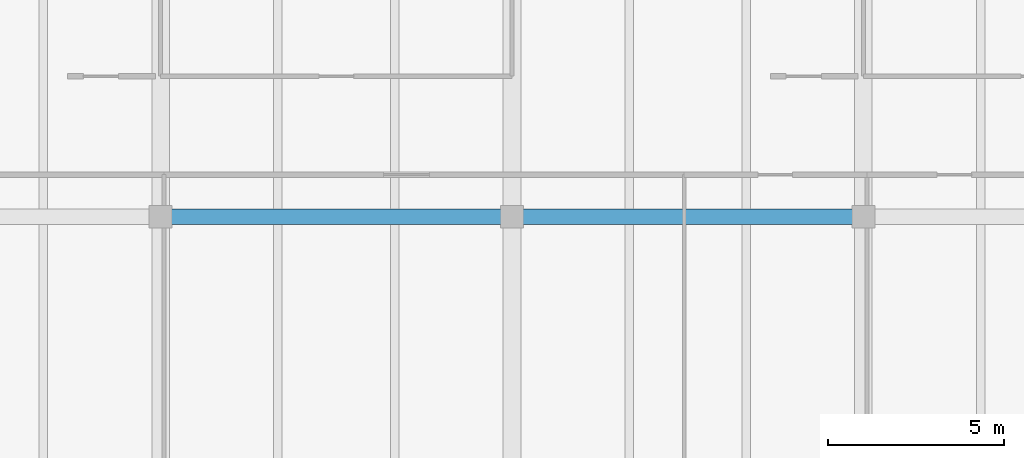
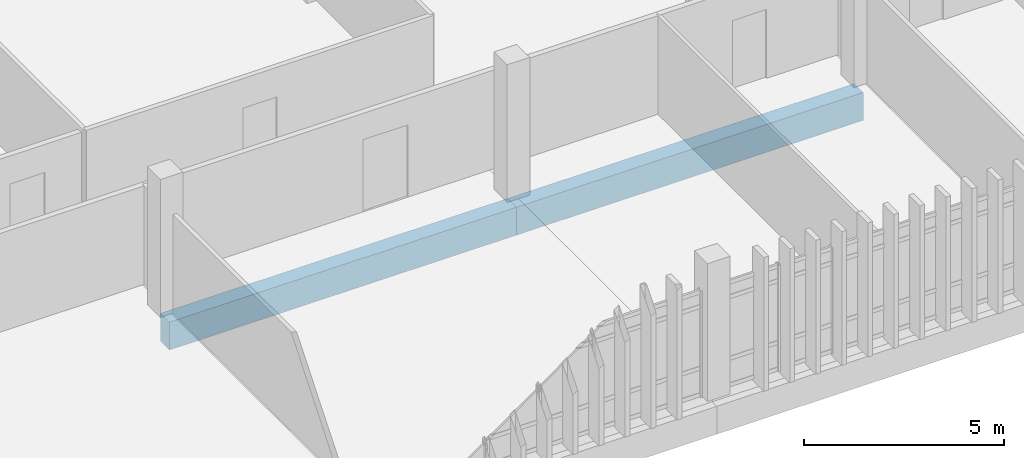
# One storey, part 27 of 82: 2 beams.
"""IFC4 building model written with IfcOpenShell, lengths in metres."""

from ifc_helpers import new_model, si_unit, direction, frame, origin, origin_2d, place, context, subcontext, project, spatial, rectangle, extrude, material, material_profile, profile_set, type_object, element, save


model = new_model("IFC4")

# Units and contexts
model_context = context("Model", 3, precision=1e-05, world=origin(), true_north=direction((0.0, 1.0)))
body_context = subcontext(model_context, "Body", "Model", "MODEL_VIEW")
ifc_project = project(units=[si_unit("LENGTHUNIT", "METRE"), si_unit("AREAUNIT", "SQUARE_METRE"), si_unit("VOLUMEUNIT", "CUBIC_METRE"), si_unit("PLANEANGLEUNIT", "RADIAN"), si_unit("MASSUNIT", "GRAM", prefix="KILO")], contexts=[model_context])

# Site, building, storey
site_placement = place(None, origin())
site = spatial("IfcSite", under=ifc_project, at=site_placement, CompositionType="ELEMENT")
building_placement = place(site_placement, origin())
building = spatial("IfcBuilding", under=site, at=building_placement, Name="Mersad Railyard Sports Hall", CompositionType="ELEMENT")
storey_placement = place(building_placement, frame((0.0, 0.0, 13.199951171875)))
storey = spatial("IfcBuildingStorey", under=building, at=storey_placement, Name="L03", CompositionType="ELEMENT", Elevation=13.199951171875)

# Beams
ifc_material = material(Name="Concrete C40/50", Category="concrete")
ifc_material_profile = material_profile(ifc_material, rectangle(XDim=0.449951171875, YDim=0.85009765625, at=origin_2d()), Name="RC 450x850")
ifc_profile_set = profile_set([ifc_material_profile], Name="Concrete C40/50")
beam_type = type_object("IfcBeamType", Name="STR-BM-B02", PredefinedType="BEAM", material=ifc_profile_set)
for number, where, z_axis, x_axis, name in (
    (1, (101.0, 95.0, -0.744873046875), (1.0, 0.0, 0.0), (0.0, 1.0, 0.0), "Beam B02-1225"),
    (2, (111.0, 95.0, -0.744873046875), (1.0, 0.0, 0.0), (0.0, 1.0, 0.0), "Beam B02-1226"),
):
    element("IfcBeam", number, at=place(storey_placement, frame(where, z_axis=z_axis, x_axis=x_axis)), inside=storey, type_object=beam_type, Name=name, PredefinedType="BEAM", context=body_context, shape_type="SweptSolid", body=[
        extrude(rectangle(XDim=0.449951171875, YDim=0.85009765625, at=origin_2d()), origin(), (0.0, 0.0, 1.0), 10.0),
    ])

save(model, "model.ifc")
